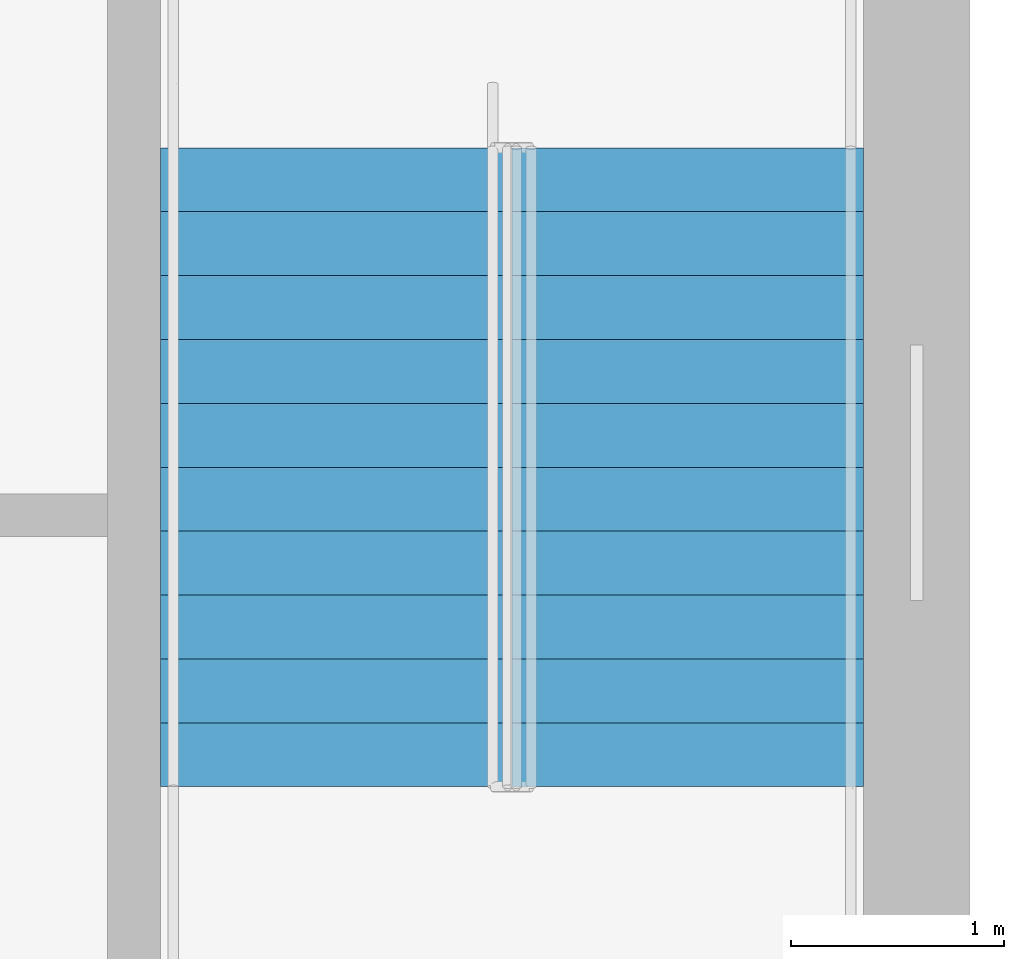
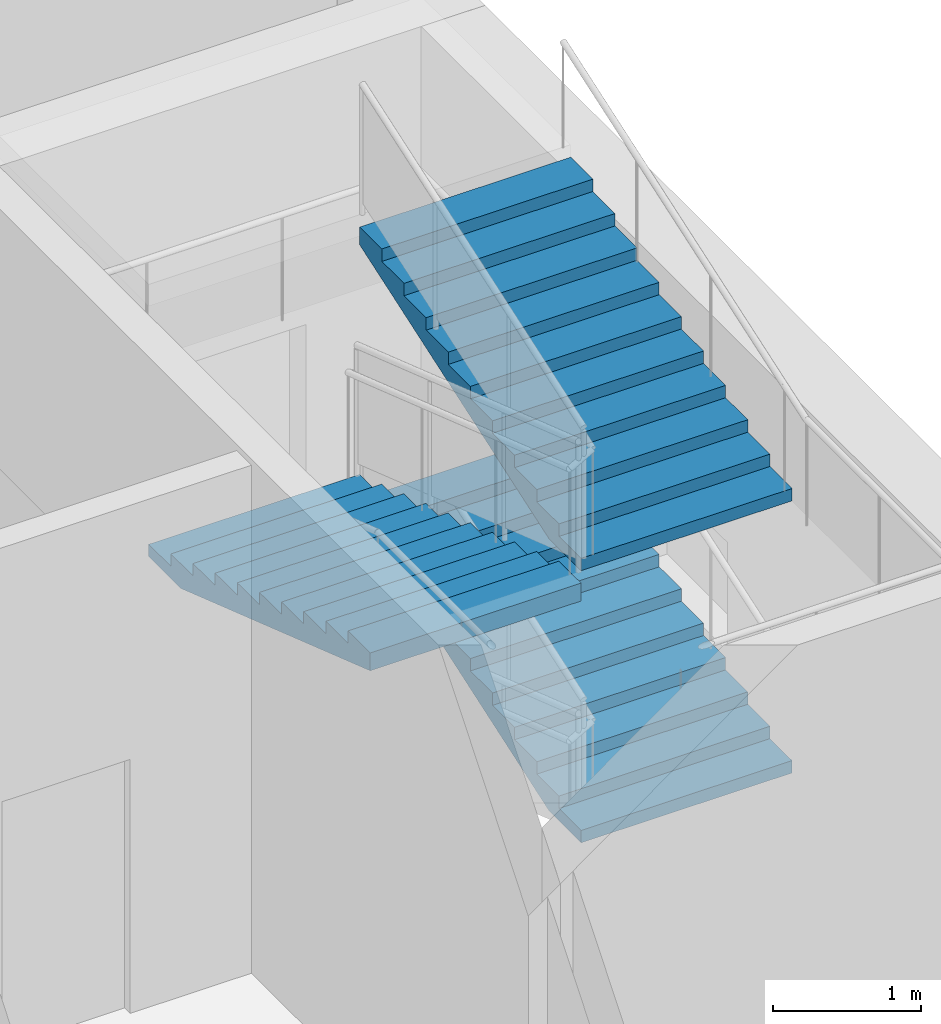
# One storey, part 50 of 64: 3 stair flights, 1 element without a shape of its own.
"""IFC4 building model written with IfcOpenShell, lengths in metres."""

import ifcopenshell
import ifcopenshell.guid

model = None  # the IFC model being written
_history = None  # IfcOwnerHistory: only IFC2X3 demands one
_inside = {}  # id of a spatial element -> (the spatial element, [elements in it])
_under = {}  # id of a project, library or spatial element -> (it, [spatial elements below it])
_declared = {}  # id of a project -> (the project, [libraries it declares])
_typed = {}  # id of a type object -> (the type object, [elements of that type])
_made_of = {}  # id of a material, layer set ... -> (it, [elements and type objects made of it])


def new_model(schema):
    """Start an empty IFC model of exactly this schema.

    Asked for "IFC4X3", IfcOpenShell would pick the latest addendum, in which some entities
    have other attributes; the version numbers below select the first issue.
    IFC2X3 requires an IfcOwnerHistory on every rooted entity: one is made here for all.
    """
    global model, _history
    if schema == "IFC4X3":
        model = ifcopenshell.file(schema_version=(4, 3, 0, 0))
    else:
        model = ifcopenshell.file(schema=schema)
    _inside.clear()
    _under.clear()
    _declared.clear()
    _typed.clear()
    _made_of.clear()
    _history = None
    if model.schema == "IFC2X3":
        org = make("IfcOrganization", Name="unknown")
        user = make(
            "IfcPersonAndOrganization",
            ThePerson=make("IfcPerson", FamilyName="unknown"),
            TheOrganization=org,
        )
        app = make(
            "IfcApplication",
            ApplicationDeveloper=org,
            Version="unknown",
            ApplicationFullName="unknown",
            ApplicationIdentifier="unknown",
        )
        _history = make(
            "IfcOwnerHistory",
            OwningUser=user,
            OwningApplication=app,
            ChangeAction="ADDED",
            CreationDate=0,
        )
    return model


def make(cls, **values):
    """One entity of the class cls with the attributes given. An attribute that is None is left unset."""
    return model.create_entity(
        cls, **{name: value for name, value in values.items() if value is not None}
    )


def rooted(cls, **values):
    """An entity with a GlobalId (a new one), such as an element, a storey or a relation."""
    return make(cls, GlobalId=ifcopenshell.guid.new(), OwnerHistory=_history, **values)


def si_unit(unit_type, name, prefix=None):
    """IfcSIUnit, for example si_unit("LENGTHUNIT", "METRE", prefix="MILLI")."""
    return make("IfcSIUnit", UnitType=unit_type, Prefix=prefix, Name=name)


def assignment(units):
    """IfcUnitAssignment: the units of a project."""
    return None if units is None else make("IfcUnitAssignment", Units=units)


def point(xyz):
    """IfcCartesianPoint."""
    return None if xyz is None else make("IfcCartesianPoint", Coordinates=xyz)


def direction(xyz):
    """IfcDirection."""
    return None if xyz is None else make("IfcDirection", DirectionRatios=xyz)


def frame(location, z_axis=None, x_axis=None):
    """IfcAxis2Placement3D, a coordinate frame: its origin and axes. An axis left out is left unset."""
    return make(
        "IfcAxis2Placement3D",
        Location=point(location),
        Axis=direction(z_axis),
        RefDirection=direction(x_axis),
    )


def origin():
    """The frame at (0, 0, 0) with its axes left unset."""
    return frame((0.0, 0.0, 0.0))


def place(relative_to, where):
    """IfcLocalPlacement: puts the frame where relative to a parent placement (None: the world)."""
    return make(
        "IfcLocalPlacement", PlacementRelTo=relative_to, RelativePlacement=where
    )


def context(
    kind, dimensions, precision=None, world=None, true_north=None, identifier=None
):
    """IfcGeometricRepresentationContext, for example the 3D "Model" context."""
    return make(
        "IfcGeometricRepresentationContext",
        ContextIdentifier=identifier,
        ContextType=kind,
        CoordinateSpaceDimension=dimensions,
        Precision=precision,
        WorldCoordinateSystem=world,
        TrueNorth=true_north,
    )


def subcontext(parent, identifier, kind, view, scale=None):
    """IfcGeometricRepresentationSubContext, for example "Body" below "Model"."""
    return make(
        "IfcGeometricRepresentationSubContext",
        ContextIdentifier=identifier,
        ContextType=kind,
        ParentContext=parent,
        TargetScale=scale,
        TargetView=view,
    )


def project(units=None, contexts=None):
    """IfcProject with its units and contexts."""
    return rooted(
        "IfcProject",
        Name="project",
        RepresentationContexts=contexts,
        UnitsInContext=assignment(units),
    )


def spatial(cls, under=None, at=None, **own):
    """A site, building, storey or space (cls), placed at a placement, below another one or the project."""
    s = rooted(cls, ObjectPlacement=at, **own)
    if under is not None:
        _under.setdefault(under.id(), (under, []))[1].append(s)
    return s


def faces_of(points, faces, orient=None, outer=None):
    """IfcFace entities. A face is a list of loops; a loop is a list of indices into points, from 0.

    orient and outer hold one flag for each loop. By default every Orientation is true, the
    first loop of a face is its IfcFaceOuterBound and the others are IfcFaceBound.
    """
    made = []
    for i, loops in enumerate(faces):
        bounds = []
        for j, loop in enumerate(loops):
            is_outer = j == 0 if outer is None else outer[i][j]
            bounds.append(
                make(
                    "IfcFaceOuterBound" if is_outer else "IfcFaceBound",
                    Bound=make("IfcPolyLoop", Polygon=[points[k] for k in loop]),
                    Orientation=True if orient is None else orient[i][j],
                )
            )
        made.append(make("IfcFace", Bounds=bounds))
    return made


def faceted_brep(points, faces, orient=None, outer=None, voids=None):
    """IfcFacetedBrep: a solid bounded by flat faces; with voids (closed shells), ...WithVoids."""
    shared = [point(p) for p in points]
    hull = make("IfcClosedShell", CfsFaces=faces_of(shared, faces, orient, outer))
    if voids is None:
        return make("IfcFacetedBrep", Outer=hull)
    return make(
        "IfcFacetedBrepWithVoids",
        Outer=hull,
        Voids=[
            make(cls, CfsFaces=faces_of(shared, fs, o, b)) for cls, fs, o, b in voids
        ],
    )


def shape(context_of_items, identifier, shape_type, items):
    """IfcShapeRepresentation: the items that make up one representation, for example the "Body"."""
    return make(
        "IfcShapeRepresentation",
        ContextOfItems=context_of_items,
        RepresentationIdentifier=identifier,
        RepresentationType=shape_type,
        Items=items,
    )


def material(Name=None, Category=None):
    """IfcMaterial."""
    return make("IfcMaterial", Name=Name, Category=Category)


def made_of(thing, what):
    """Note that an element or type object is made of a material, layer set ...; save() writes the relation."""
    if what is not None:
        _made_of.setdefault(what.id(), (what, []))[1].append(thing)
    return thing


def type_object(cls, material=None, **own):
    """A type object (cls), such as IfcWallType, which elements share."""
    return made_of(rooted(cls, **own), material)


def element(
    cls,
    number,
    at=None,
    inside=None,
    cuts=None,
    type_object=None,
    material=None,
    context=None,
    identifier="Body",
    shape_type=None,
    held_by="IfcProductDefinitionShape",
    body=None,
    shapes=None,
    **own,
):
    """One element of the class cls, such as IfcWall. Its Tag is "e" and its number.

    at: its placement. inside: the storey or other place that contains it. cuts: it is an
    opening in that element (IfcRelVoidsElement). A single representation is given by context,
    identifier, shape_type and body (its items); several are given by shapes. held_by: the class
    of the entity that holds the representations. save() writes the other relations.
    """
    e = rooted(cls, Tag="e%d" % number, ObjectPlacement=at, **own)
    if body is not None:
        shapes = [shape(context, identifier, shape_type, body)]
    if shapes is not None:
        e.Representation = make(held_by, Representations=shapes)
    if inside is not None:
        _inside.setdefault(inside.id(), (inside, []))[1].append(e)
    if cuts is not None:
        rooted(
            "IfcRelVoidsElement", RelatingBuildingElement=cuts, RelatedOpeningElement=e
        )
    if type_object is not None:
        _typed.setdefault(type_object.id(), (type_object, []))[1].append(e)
    return made_of(e, material)


def aggregate(whole, parts):
    """IfcRelAggregates: a whole, such as a stair, and the parts it consists of."""
    return rooted("IfcRelAggregates", RelatingObject=whole, RelatedObjects=parts)


def save(model, path):
    """Write the relations noted so far, then the file.

    IfcRelAggregates (storeys below a building ...), IfcRelContainedInSpatialStructure (elements
    in a storey), IfcRelDefinesByType, IfcRelAssociatesMaterial and IfcRelDeclares: one each for
    every whole, place, type object, material and project.
    """
    for whole, parts in _under.values():
        aggregate(whole, parts)
    for where, things in _inside.values():
        rooted(
            "IfcRelContainedInSpatialStructure",
            RelatedElements=things,
            RelatingStructure=where,
        )
    for kind, things in _typed.values():
        rooted("IfcRelDefinesByType", RelatedObjects=things, RelatingType=kind)
    for what, things in _made_of.values():
        rooted("IfcRelAssociatesMaterial", RelatedObjects=things, RelatingMaterial=what)
    for by, libraries in _declared.values():
        rooted("IfcRelDeclares", RelatingContext=by, RelatedDefinitions=libraries)
    model.write(path)


model = new_model("IFC4")

# Units and contexts
model_context = context("Model", 3, precision=1e-05, world=origin(), true_north=direction((0.0, 1.0)))
body_context = subcontext(model_context, "Body", "Model", "MODEL_VIEW")
ifc_project = project(units=[si_unit("LENGTHUNIT", "METRE"), si_unit("AREAUNIT", "SQUARE_METRE"), si_unit("VOLUMEUNIT", "CUBIC_METRE"), si_unit("PLANEANGLEUNIT", "RADIAN"), si_unit("MASSUNIT", "GRAM", prefix="KILO")], contexts=[model_context])

# Site, building, storey
site_placement = place(None, origin())
site = spatial("IfcSite", under=ifc_project, at=site_placement, CompositionType="ELEMENT")
building_placement = place(site_placement, origin())
building = spatial("IfcBuilding", under=site, at=building_placement, Name="Rulbaag Community and Learning Centre", CompositionType="ELEMENT")
storey_placement = place(building_placement, frame((0.0, 0.0, 5.39990234375)))
storey = spatial("IfcBuildingStorey", under=building, at=storey_placement, Name="L01", CompositionType="ELEMENT", Elevation=5.39990234375)

# Stair, stair flights
ifc_material = material(Name="Concrete M40", Category="concrete")
stair_type = type_object("IfcStairType", Name="ST-1650 STAIR 1650 WIDE", PredefinedType="HALF_TURN_STAIR", material=ifc_material)
stair_placement = place(storey_placement, origin())
stair = element("IfcStair", 1, at=stair_placement, inside=storey, type_object=stair_type, Name="Stair ST2 L01", PredefinedType="HALF_TURN_STAIR")
stair_flight_type = type_object("IfcStairFlightType", Name="FL-1650 FLIGHT 1650 WIDE Concrete M40", PredefinedType="STRAIGHT", material=ifc_material)
stair_flight_1_placement = place(storey_placement, frame((166.675048828125, 103.925048828125, 1.125), z_axis=(0.0, 0.0, 1.0), x_axis=(0.0, 1.0, 0.0)))
stair_flight_1 = element("IfcStairFlight", 2, at=stair_flight_1_placement, type_object=stair_flight_type, Name="ST2 flight 2", NumberOfRisers=11, NumberOfTreads=10, PredefinedType="STRAIGHT", RiserHeight=0.102272727, TreadLength=0.3, context=body_context, shape_type="Brep", body=[
    faceted_brep([(0.43359375, -0.824951171875, 0.0), (3.0, -0.824951171875, 0.875), (3.0, -0.824951171875, 1.022705078125), (2.699951171875, -0.824951171875, 1.022705078125), (2.699951171875, -0.824951171875, 0.92041015625), (2.39990234375, -0.824951171875, 0.92041015625), (2.39990234375, -0.824951171875, 0.818115234375), (2.10009765625, -0.824951171875, 0.818115234375), (2.10009765625, -0.824951171875, 0.7158203125), (1.800048828125, -0.824951171875, 0.7158203125), (1.800048828125, -0.824951171875, 0.613525390625), (1.5, -0.824951171875, 0.613525390625), (1.5, -0.824951171875, 0.511474609375), (1.199951171875, -0.824951171875, 0.511474609375), (1.199951171875, -0.824951171875, 0.4091796875), (0.89990234375, -0.824951171875, 0.4091796875), (0.89990234375, -0.824951171875, 0.306884765625), (0.60009765625, -0.824951171875, 0.306884765625), (0.60009765625, -0.824951171875, 0.20458984375), (0.300048828125, -0.824951171875, 0.20458984375), (0.300048828125, -0.824951171875, 0.102294921875), (0.0, -0.824951171875, 0.102294921875), (0.0, -0.824951171875, 0.0), (0.0, 0.824951171875, 0.0), (0.0, 0.824951171875, 0.102294921875), (0.300048828125, 0.824951171875, 0.102294921875), (0.300048828125, 0.824951171875, 0.20458984375), (0.60009765625, 0.824951171875, 0.20458984375), (0.60009765625, 0.824951171875, 0.306884765625), (0.89990234375, 0.824951171875, 0.306884765625), (0.89990234375, 0.824951171875, 0.4091796875), (1.199951171875, 0.824951171875, 0.4091796875), (1.199951171875, 0.824951171875, 0.511474609375), (1.5, 0.824951171875, 0.511474609375), (1.5, 0.824951171875, 0.613525390625), (1.800048828125, 0.824951171875, 0.613525390625), (1.800048828125, 0.824951171875, 0.7158203125), (2.10009765625, 0.824951171875, 0.7158203125), (2.10009765625, 0.824951171875, 0.818115234375), (2.39990234375, 0.824951171875, 0.818115234375), (2.39990234375, 0.824951171875, 0.92041015625), (2.699951171875, 0.824951171875, 0.92041015625), (2.699951171875, 0.824951171875, 1.022705078125), (3.0, 0.824951171875, 1.022705078125), (3.0, 0.824951171875, 0.875), (0.43359375, 0.824951171875, 0.0), (0.0, 0.0, 0.102294921875), (0.0, 0.0, 0.0), (0.300048828125, 0.0, 0.102294921875), (0.300048828125, 0.0, 0.20458984375), (0.60009765625, 0.0, 0.20458984375), (0.60009765625, 0.0, 0.306884765625), (0.89990234375, 0.0, 0.306884765625), (0.89990234375, 0.0, 0.4091796875), (1.199951171875, 0.0, 0.4091796875), (1.199951171875, 0.0, 0.511474609375), (1.5, 0.0, 0.511474609375), (1.5, 0.0, 0.613525390625), (1.800048828125, 0.0, 0.613525390625), (1.800048828125, 0.0, 0.7158203125), (2.10009765625, 0.0, 0.7158203125), (2.10009765625, 0.0, 0.818115234375), (2.39990234375, 0.0, 0.818115234375), (2.39990234375, 0.0, 0.92041015625), (2.699951171875, 0.0, 0.92041015625), (2.699951171875, 0.0, 1.022705078125), (3.0, 0.0, 1.022705078125), (3.0, 0.0, 0.875), (0.43359375, 0.0, 0.0)], [[[0, 1, 2, 3, 4, 5, 6, 7, 8, 9, 10, 11, 12, 13, 14, 15, 16, 17, 18, 19, 20, 21, 22]], [[23, 24, 25, 26, 27, 28, 29, 30, 31, 32, 33, 34, 35, 36, 37, 38, 39, 40, 41, 42, 43, 44, 45]], [[22, 21, 46, 47]], [[47, 46, 24, 23]], [[21, 20, 48, 46]], [[46, 48, 25, 24]], [[20, 19, 49, 48]], [[48, 49, 26, 25]], [[19, 18, 50, 49]], [[49, 50, 27, 26]], [[18, 17, 51, 50]], [[50, 51, 28, 27]], [[17, 16, 52, 51]], [[51, 52, 29, 28]], [[16, 15, 53, 52]], [[52, 53, 30, 29]], [[15, 14, 54, 53]], [[53, 54, 31, 30]], [[14, 13, 55, 54]], [[54, 55, 32, 31]], [[13, 12, 56, 55]], [[55, 56, 33, 32]], [[12, 11, 57, 56]], [[56, 57, 34, 33]], [[11, 10, 58, 57]], [[57, 58, 35, 34]], [[10, 9, 59, 58]], [[58, 59, 36, 35]], [[9, 8, 60, 59]], [[59, 60, 37, 36]], [[8, 7, 61, 60]], [[60, 61, 38, 37]], [[7, 6, 62, 61]], [[61, 62, 39, 38]], [[6, 5, 63, 62]], [[62, 63, 40, 39]], [[5, 4, 64, 63]], [[63, 64, 41, 40]], [[4, 3, 65, 64]], [[64, 65, 42, 41]], [[3, 2, 66, 65]], [[65, 66, 43, 42]], [[2, 1, 67, 66]], [[66, 67, 44, 43]], [[1, 0, 68, 67]], [[67, 68, 45, 44]], [[0, 22, 47, 68]], [[68, 47, 23, 45]]]),
])
stair_flight_2_placement = place(storey_placement, frame((165.02490234375, 106.925048828125, 2.25), z_axis=(0.0, 0.0, 1.0), x_axis=(0.0, -1.0, 0.0)))
stair_flight_2 = element("IfcStairFlight", 3, at=stair_flight_2_placement, type_object=stair_flight_type, Name="ST2 flight 3", NumberOfRisers=11, NumberOfTreads=10, PredefinedType="STRAIGHT", RiserHeight=0.102272727, TreadLength=0.3, context=body_context, shape_type="Brep", body=[
    faceted_brep([(0.43359375, -0.824951171875, 0.0), (3.0, -0.824951171875, 0.875), (3.0, -0.824951171875, 1.022705078125), (2.699951171875, -0.824951171875, 1.022705078125), (2.699951171875, -0.824951171875, 0.92041015625), (2.39990234375, -0.824951171875, 0.92041015625), (2.39990234375, -0.824951171875, 0.818115234375), (2.10009765625, -0.824951171875, 0.818115234375), (2.10009765625, -0.824951171875, 0.7158203125), (1.800048828125, -0.824951171875, 0.7158203125), (1.800048828125, -0.824951171875, 0.613525390625), (1.5, -0.824951171875, 0.613525390625), (1.5, -0.824951171875, 0.511474609375), (1.199951171875, -0.824951171875, 0.511474609375), (1.199951171875, -0.824951171875, 0.4091796875), (0.89990234375, -0.824951171875, 0.4091796875), (0.89990234375, -0.824951171875, 0.306884765625), (0.60009765625, -0.824951171875, 0.306884765625), (0.60009765625, -0.824951171875, 0.20458984375), (0.300048828125, -0.824951171875, 0.20458984375), (0.300048828125, -0.824951171875, 0.102294921875), (0.0, -0.824951171875, 0.102294921875), (0.0, -0.824951171875, 0.0), (0.0, 0.824951171875, 0.0), (0.0, 0.824951171875, 0.102294921875), (0.300048828125, 0.824951171875, 0.102294921875), (0.300048828125, 0.824951171875, 0.20458984375), (0.60009765625, 0.824951171875, 0.20458984375), (0.60009765625, 0.824951171875, 0.306884765625), (0.89990234375, 0.824951171875, 0.306884765625), (0.89990234375, 0.824951171875, 0.4091796875), (1.199951171875, 0.824951171875, 0.4091796875), (1.199951171875, 0.824951171875, 0.511474609375), (1.5, 0.824951171875, 0.511474609375), (1.5, 0.824951171875, 0.613525390625), (1.800048828125, 0.824951171875, 0.613525390625), (1.800048828125, 0.824951171875, 0.7158203125), (2.10009765625, 0.824951171875, 0.7158203125), (2.10009765625, 0.824951171875, 0.818115234375), (2.39990234375, 0.824951171875, 0.818115234375), (2.39990234375, 0.824951171875, 0.92041015625), (2.699951171875, 0.824951171875, 0.92041015625), (2.699951171875, 0.824951171875, 1.022705078125), (3.0, 0.824951171875, 1.022705078125), (3.0, 0.824951171875, 0.875), (0.43359375, 0.824951171875, 0.0), (0.0, 0.0, 0.102294921875), (0.0, 0.0, 0.0), (0.300048828125, 0.0, 0.102294921875), (0.300048828125, 0.0, 0.20458984375), (0.60009765625, 0.0, 0.20458984375), (0.60009765625, 0.0, 0.306884765625), (0.89990234375, 0.0, 0.306884765625), (0.89990234375, 0.0, 0.4091796875), (1.199951171875, 0.0, 0.4091796875), (1.199951171875, 0.0, 0.511474609375), (1.5, 0.0, 0.511474609375), (1.5, 0.0, 0.613525390625), (1.800048828125, 0.0, 0.613525390625), (1.800048828125, 0.0, 0.7158203125), (2.10009765625, 0.0, 0.7158203125), (2.10009765625, 0.0, 0.818115234375), (2.39990234375, 0.0, 0.818115234375), (2.39990234375, 0.0, 0.92041015625), (2.699951171875, 0.0, 0.92041015625), (2.699951171875, 0.0, 1.022705078125), (3.0, 0.0, 1.022705078125), (3.0, 0.0, 0.875), (0.43359375, 0.0, 0.0)], [[[0, 1, 2, 3, 4, 5, 6, 7, 8, 9, 10, 11, 12, 13, 14, 15, 16, 17, 18, 19, 20, 21, 22]], [[23, 24, 25, 26, 27, 28, 29, 30, 31, 32, 33, 34, 35, 36, 37, 38, 39, 40, 41, 42, 43, 44, 45]], [[22, 21, 46, 47]], [[47, 46, 24, 23]], [[21, 20, 48, 46]], [[46, 48, 25, 24]], [[20, 19, 49, 48]], [[48, 49, 26, 25]], [[19, 18, 50, 49]], [[49, 50, 27, 26]], [[18, 17, 51, 50]], [[50, 51, 28, 27]], [[17, 16, 52, 51]], [[51, 52, 29, 28]], [[16, 15, 53, 52]], [[52, 53, 30, 29]], [[15, 14, 54, 53]], [[53, 54, 31, 30]], [[14, 13, 55, 54]], [[54, 55, 32, 31]], [[13, 12, 56, 55]], [[55, 56, 33, 32]], [[12, 11, 57, 56]], [[56, 57, 34, 33]], [[11, 10, 58, 57]], [[57, 58, 35, 34]], [[10, 9, 59, 58]], [[58, 59, 36, 35]], [[9, 8, 60, 59]], [[59, 60, 37, 36]], [[8, 7, 61, 60]], [[60, 61, 38, 37]], [[7, 6, 62, 61]], [[61, 62, 39, 38]], [[6, 5, 63, 62]], [[62, 63, 40, 39]], [[5, 4, 64, 63]], [[63, 64, 41, 40]], [[4, 3, 65, 64]], [[64, 65, 42, 41]], [[3, 2, 66, 65]], [[65, 66, 43, 42]], [[2, 1, 67, 66]], [[66, 67, 44, 43]], [[1, 0, 68, 67]], [[67, 68, 45, 44]], [[0, 22, 47, 68]], [[68, 47, 23, 45]]]),
])
stair_flight_3_placement = place(storey_placement, frame((166.675048828125, 103.925048828125, 3.375), z_axis=(0.0, 0.0, 1.0), x_axis=(0.0, 1.0, 0.0)))
stair_flight_3 = element("IfcStairFlight", 4, at=stair_flight_3_placement, type_object=stair_flight_type, Name="ST2 flight 4", NumberOfRisers=11, NumberOfTreads=10, PredefinedType="STRAIGHT", RiserHeight=0.102272727, TreadLength=0.3, context=body_context, shape_type="Brep", body=[
    faceted_brep([(0.43359375, -0.824951171875, 0.0), (3.0, -0.824951171875, 0.875), (3.0, -0.824951171875, 1.022705078125), (2.699951171875, -0.824951171875, 1.022705078125), (2.699951171875, -0.824951171875, 0.92041015625), (2.39990234375, -0.824951171875, 0.92041015625), (2.39990234375, -0.824951171875, 0.818115234375), (2.10009765625, -0.824951171875, 0.818115234375), (2.10009765625, -0.824951171875, 0.7158203125), (1.800048828125, -0.824951171875, 0.7158203125), (1.800048828125, -0.824951171875, 0.613525390625), (1.5, -0.824951171875, 0.613525390625), (1.5, -0.824951171875, 0.511474609375), (1.199951171875, -0.824951171875, 0.511474609375), (1.199951171875, -0.824951171875, 0.4091796875), (0.89990234375, -0.824951171875, 0.4091796875), (0.89990234375, -0.824951171875, 0.306884765625), (0.60009765625, -0.824951171875, 0.306884765625), (0.60009765625, -0.824951171875, 0.20458984375), (0.300048828125, -0.824951171875, 0.20458984375), (0.300048828125, -0.824951171875, 0.102294921875), (0.0, -0.824951171875, 0.102294921875), (0.0, -0.824951171875, 0.0), (0.0, 0.824951171875, 0.0), (0.0, 0.824951171875, 0.102294921875), (0.300048828125, 0.824951171875, 0.102294921875), (0.300048828125, 0.824951171875, 0.20458984375), (0.60009765625, 0.824951171875, 0.20458984375), (0.60009765625, 0.824951171875, 0.306884765625), (0.89990234375, 0.824951171875, 0.306884765625), (0.89990234375, 0.824951171875, 0.4091796875), (1.199951171875, 0.824951171875, 0.4091796875), (1.199951171875, 0.824951171875, 0.511474609375), (1.5, 0.824951171875, 0.511474609375), (1.5, 0.824951171875, 0.613525390625), (1.800048828125, 0.824951171875, 0.613525390625), (1.800048828125, 0.824951171875, 0.7158203125), (2.10009765625, 0.824951171875, 0.7158203125), (2.10009765625, 0.824951171875, 0.818115234375), (2.39990234375, 0.824951171875, 0.818115234375), (2.39990234375, 0.824951171875, 0.92041015625), (2.699951171875, 0.824951171875, 0.92041015625), (2.699951171875, 0.824951171875, 1.022705078125), (3.0, 0.824951171875, 1.022705078125), (3.0, 0.824951171875, 0.875), (0.43359375, 0.824951171875, 0.0), (0.0, 0.0, 0.102294921875), (0.0, 0.0, 0.0), (0.300048828125, 0.0, 0.102294921875), (0.300048828125, 0.0, 0.20458984375), (0.60009765625, 0.0, 0.20458984375), (0.60009765625, 0.0, 0.306884765625), (0.89990234375, 0.0, 0.306884765625), (0.89990234375, 0.0, 0.4091796875), (1.199951171875, 0.0, 0.4091796875), (1.199951171875, 0.0, 0.511474609375), (1.5, 0.0, 0.511474609375), (1.5, 0.0, 0.613525390625), (1.800048828125, 0.0, 0.613525390625), (1.800048828125, 0.0, 0.7158203125), (2.10009765625, 0.0, 0.7158203125), (2.10009765625, 0.0, 0.818115234375), (2.39990234375, 0.0, 0.818115234375), (2.39990234375, 0.0, 0.92041015625), (2.699951171875, 0.0, 0.92041015625), (2.699951171875, 0.0, 1.022705078125), (3.0, 0.0, 1.022705078125), (3.0, 0.0, 0.875), (0.43359375, 0.0, 0.0)], [[[0, 1, 2, 3, 4, 5, 6, 7, 8, 9, 10, 11, 12, 13, 14, 15, 16, 17, 18, 19, 20, 21, 22]], [[23, 24, 25, 26, 27, 28, 29, 30, 31, 32, 33, 34, 35, 36, 37, 38, 39, 40, 41, 42, 43, 44, 45]], [[22, 21, 46, 47]], [[47, 46, 24, 23]], [[21, 20, 48, 46]], [[46, 48, 25, 24]], [[20, 19, 49, 48]], [[48, 49, 26, 25]], [[19, 18, 50, 49]], [[49, 50, 27, 26]], [[18, 17, 51, 50]], [[50, 51, 28, 27]], [[17, 16, 52, 51]], [[51, 52, 29, 28]], [[16, 15, 53, 52]], [[52, 53, 30, 29]], [[15, 14, 54, 53]], [[53, 54, 31, 30]], [[14, 13, 55, 54]], [[54, 55, 32, 31]], [[13, 12, 56, 55]], [[55, 56, 33, 32]], [[12, 11, 57, 56]], [[56, 57, 34, 33]], [[11, 10, 58, 57]], [[57, 58, 35, 34]], [[10, 9, 59, 58]], [[58, 59, 36, 35]], [[9, 8, 60, 59]], [[59, 60, 37, 36]], [[8, 7, 61, 60]], [[60, 61, 38, 37]], [[7, 6, 62, 61]], [[61, 62, 39, 38]], [[6, 5, 63, 62]], [[62, 63, 40, 39]], [[5, 4, 64, 63]], [[63, 64, 41, 40]], [[4, 3, 65, 64]], [[64, 65, 42, 41]], [[3, 2, 66, 65]], [[65, 66, 43, 42]], [[2, 1, 67, 66]], [[66, 67, 44, 43]], [[1, 0, 68, 67]], [[67, 68, 45, 44]], [[0, 22, 47, 68]], [[68, 47, 23, 45]]]),
])
aggregate(stair, [stair_flight_1, stair_flight_2, stair_flight_3])

save(model, "model.ifc")
